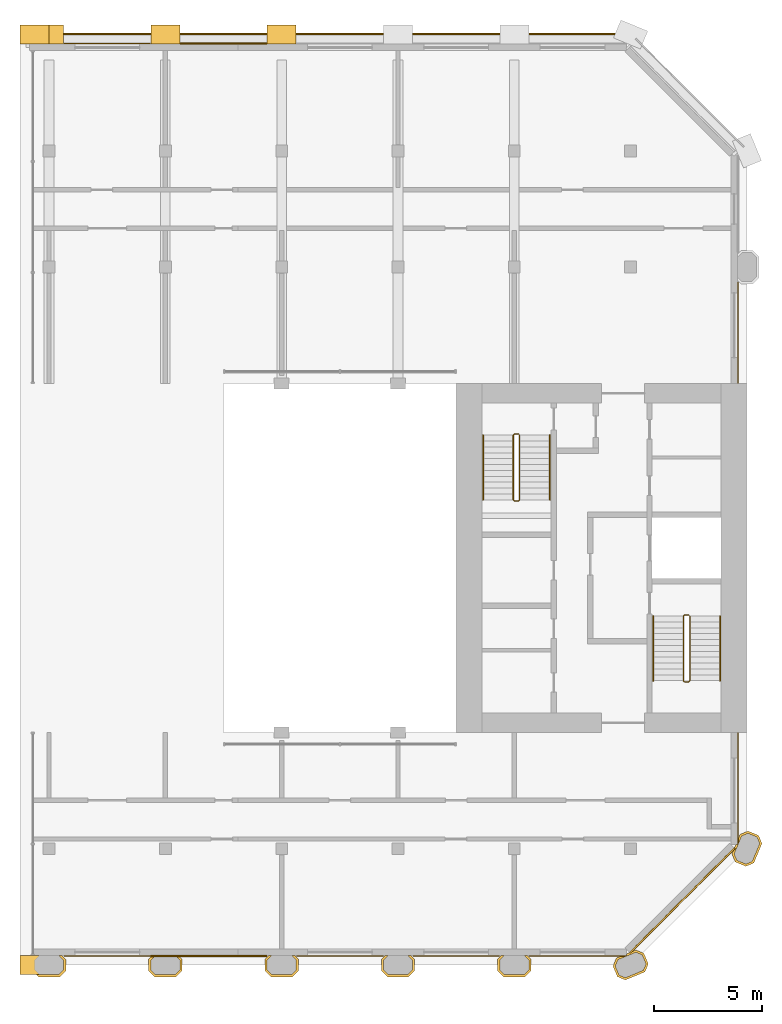
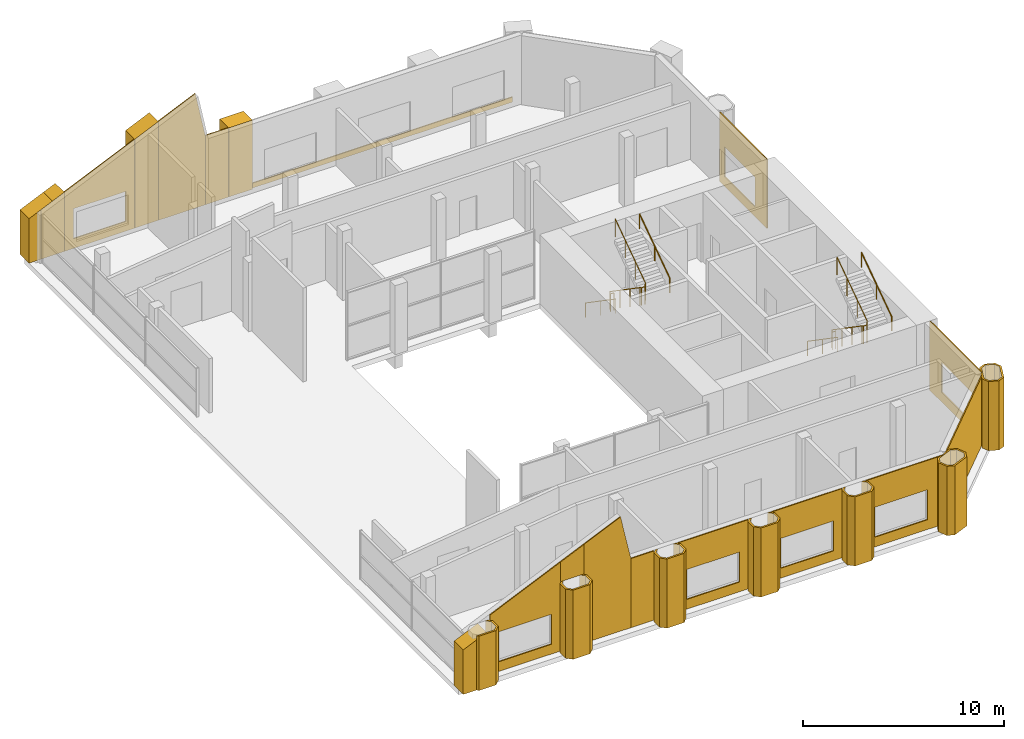
# One storey, part 8 of 9: 26 coverings, 6 railings.
"""IFC4 building model written with IfcOpenShell, lengths in metres."""

from ifc_helpers import new_model, si_unit, direction, frame, frame_2d, origin, origin_2d, place, context, subcontext, project, spatial, polyline, rectangle, circle, outline, extrude, material, layer, layer_set, type_object, element, save


model = new_model("IFC4")

# Units and contexts
model_context = context("Model", 3, precision=1e-05, world=origin(), true_north=direction((0.0, 1.0)))
body_context = subcontext(model_context, "Body", "Model", "MODEL_VIEW")
ifc_project = project(units=[si_unit("LENGTHUNIT", "METRE"), si_unit("AREAUNIT", "SQUARE_METRE"), si_unit("VOLUMEUNIT", "CUBIC_METRE"), si_unit("PLANEANGLEUNIT", "RADIAN"), si_unit("MASSUNIT", "GRAM", prefix="KILO")], contexts=[model_context])

# Site, building, storey
site_placement = place(None, origin())
site = spatial("IfcSite", under=ifc_project, at=site_placement, CompositionType="ELEMENT")
building_placement = place(site_placement, origin())
building = spatial("IfcBuilding", under=site, at=building_placement, Name="Tabaq Tower and Sports Hall", CompositionType="ELEMENT")
storey_placement = place(building_placement, frame((0.0, 0.0, 326.199951171875)))
storey = spatial("IfcBuildingStorey", under=building, at=storey_placement, Name="L81", CompositionType="ELEMENT", Elevation=326.199951171875)

# Coverings
ifc_material_1 = material(Name="Precast concrete C60/75", Category="concrete")
ifc_layer_1 = layer(ifc_material_1, 0.10009765625)
ifc_layer_set_1 = layer_set([ifc_layer_1], Name="Column cladding 100")
covering_type_1 = type_object("IfcCoveringType", Name="Column cladding 100", PredefinedType="CLADDING", material=ifc_layer_set_1)
covering_1_placement = place(storey_placement, origin())
element("IfcCovering", 1, at=covering_1_placement, inside=storey, type_object=covering_type_1, Name="Column cladding L81 PC-3B-CR", PredefinedType="CLADDING", context=body_context, shape_type="SweptSolid", body=[
    extrude(outline(polyline([(11.57470703125, 5.666259765625), (11.57470703125, 5.1337890625), (11.291259765625, 4.850341796875), (10.30859375, 4.850341796875), (10.209228515625, 4.94970703125), (11.250244140625, 4.94970703125), (11.475341796875, 5.1748046875), (11.475341796875, 5.625244140625), (11.250732421875, 5.849609375), (11.391357421875, 5.849609375), (11.57470703125, 5.666259765625)])), origin(), (0.0, 0.0, 1.0), 3.300048828125),
])
covering_2_placement = place(storey_placement, origin())
element("IfcCovering", 2, at=covering_2_placement, inside=storey, type_object=covering_type_1, Name="Column cladding L81 PC-4B-CR", PredefinedType="CLADDING", context=body_context, shape_type="SweptSolid", body=[
    extrude(outline(polyline([(15.42529296875, 5.666259765625), (15.608642578125, 5.849609375), (15.749267578125, 5.849609375), (15.524658203125, 5.625244140625), (15.524658203125, 5.1748046875), (15.749755859375, 4.94970703125), (16.650146484375, 4.94970703125), (16.875244140625, 5.1748046875), (16.875244140625, 5.625244140625), (16.650634765625, 5.849609375), (16.791259765625, 5.849609375), (16.974609375, 5.666259765625), (16.974609375, 5.1337890625), (16.69140625, 4.850341796875), (15.708740234375, 4.850341796875), (15.42529296875, 5.1337890625), (15.42529296875, 5.666259765625)])), origin(), (0.0, 0.0, 1.0), 4.199951171875),
])
covering_3_placement = place(storey_placement, origin())
element("IfcCovering", 3, at=covering_3_placement, inside=storey, type_object=covering_type_1, Name="Column cladding L81 PC-5B-CR", PredefinedType="CLADDING", context=body_context, shape_type="SweptSolid", body=[
    extrude(outline(polyline([(20.8251953125, 5.666259765625), (21.0087890625, 5.849609375), (21.149169921875, 5.849609375), (20.9248046875, 5.625244140625), (20.9248046875, 5.1748046875), (21.14990234375, 4.94970703125), (22.050048828125, 4.94970703125), (22.275390625, 5.1748046875), (22.275390625, 5.625244140625), (22.05078125, 5.849609375), (22.19140625, 5.849609375), (22.374755859375, 5.666259765625), (22.374755859375, 5.1337890625), (22.09130859375, 4.850341796875), (21.108642578125, 4.850341796875), (20.8251953125, 5.1337890625), (20.8251953125, 5.666259765625)])), origin(), (0.0, 0.0, 1.0), 4.199951171875),
])
covering_4_placement = place(storey_placement, origin())
element("IfcCovering", 4, at=covering_4_placement, inside=storey, type_object=covering_type_1, Name="Column cladding L81 PC-6B-CR", PredefinedType="CLADDING", context=body_context, shape_type="SweptSolid", body=[
    extrude(outline(polyline([(26.225341796875, 5.666259765625), (26.40869140625, 5.849609375), (26.54931640625, 5.849609375), (26.32470703125, 5.625244140625), (26.32470703125, 5.1748046875), (26.5498046875, 4.94970703125), (27.4501953125, 4.94970703125), (27.67529296875, 5.1748046875), (27.67529296875, 5.625244140625), (27.45068359375, 5.849609375), (27.59130859375, 5.849609375), (27.774658203125, 5.666259765625), (27.774658203125, 5.1337890625), (27.4912109375, 4.850341796875), (26.5087890625, 4.850341796875), (26.225341796875, 5.1337890625), (26.225341796875, 5.666259765625)])), origin(), (0.0, 0.0, 1.0), 4.199951171875),
])
covering_5_placement = place(storey_placement, origin())
element("IfcCovering", 5, at=covering_5_placement, inside=storey, type_object=covering_type_1, Name="Column cladding L81 PC-7B-CR", PredefinedType="CLADDING", context=body_context, shape_type="SweptSolid", body=[
    extrude(outline(polyline([(31.625244140625, 5.666259765625), (31.80859375, 5.849609375), (31.94921875, 5.849609375), (31.724609375, 5.625244140625), (31.724609375, 5.1748046875), (31.949951171875, 4.94970703125), (32.85009765625, 4.94970703125), (33.0751953125, 5.1748046875), (33.0751953125, 5.625244140625), (32.850830078125, 5.849609375), (32.9912109375, 5.849609375), (33.1748046875, 5.666259765625), (33.1748046875, 5.1337890625), (32.891357421875, 4.850341796875), (31.90869140625, 4.850341796875), (31.625244140625, 5.1337890625), (31.625244140625, 5.666259765625)])), origin(), (0.0, 0.0, 1.0), 4.199951171875),
])
covering_6_placement = place(storey_placement, origin())
element("IfcCovering", 6, at=covering_6_placement, inside=storey, type_object=covering_type_1, Name="Column cladding L81 PC-8B-CR", PredefinedType="CLADDING", context=body_context, shape_type="SweptSolid", body=[
    extrude(outline(polyline([(36.982421875, 5.349609375), (37.1357421875, 5.7197265625), (37.304443359375, 5.789794921875), (37.55712890625, 5.789794921875), (37.55712890625, 5.849609375), (37.614013671875, 5.849609375), (37.614013671875, 5.91796875), (37.767578125, 5.9814453125), (37.799072265625, 5.9501953125), (37.875, 6.026123046875), (38.04345703125, 6.095947265625), (38.413818359375, 5.9423828125), (38.61767578125, 5.450439453125), (38.46435546875, 5.080078125), (37.556396484375, 4.7041015625), (37.186279296875, 4.857421875), (36.982421875, 5.349609375)]), holes=[polyline([(38.510009765625, 5.450439453125), (38.337646484375, 5.866455078125), (38.04345703125, 5.98828125), (37.2119140625, 5.643798828125), (37.08984375, 5.349609375), (37.26220703125, 4.93359375), (37.556396484375, 4.811767578125), (38.38818359375, 5.15625), (38.510009765625, 5.450439453125)])]), origin(), (0.0, 0.0, 1.0), 4.199951171875),
])
covering_7_placement = place(storey_placement, origin())
element("IfcCovering", 7, at=covering_7_placement, inside=storey, type_object=covering_type_1, Name="Column cladding L81 PC-9C-CR", PredefinedType="CLADDING", context=body_context, shape_type="SweptSolid", body=[
    extrude(outline(polyline([(42.657470703125, 10.186279296875), (42.504150390625, 10.556396484375), (42.573974609375, 10.72509765625), (42.64990234375, 10.801025390625), (42.618408203125, 10.83251953125), (42.68212890625, 10.986083984375), (42.750244140625, 10.986083984375), (42.750244140625, 11.04296875), (42.810302734375, 11.04296875), (42.810302734375, 11.295654296875), (42.880126953125, 11.46435546875), (43.25048828125, 11.61767578125), (43.742431640625, 11.413818359375), (43.895751953125, 11.04345703125), (43.519775390625, 10.1357421875), (43.149658203125, 9.982421875), (42.657470703125, 10.186279296875)]), holes=[polyline([(43.66650390625, 11.337646484375), (43.25048828125, 11.510009765625), (42.956298828125, 11.38818359375), (42.61181640625, 10.556396484375), (42.733642578125, 10.26220703125), (43.149658203125, 10.08984375), (43.44384765625, 10.2119140625), (43.788330078125, 11.04345703125), (43.66650390625, 11.337646484375)])]), origin(), (0.0, 0.0, 1.0), 4.199951171875),
])
ifc_material_2 = material(Name="Precast concrete C60/75", Category="concrete")
ifc_layer_2 = layer(ifc_material_2, 0.06005859375)
ifc_layer_set_2 = layer_set([ifc_layer_2], Name="Edge beam cladding 60")
covering_type_2 = type_object("IfcCoveringType", Name="Edge beam cladding 60", PredefinedType="CLADDING", material=ifc_layer_set_2)
covering_8_placement = place(storey_placement, frame((37.50146484375, 48.6298828125, -0.300048828125), z_axis=(0.0, 0.0, 1.0), x_axis=(-1.0, 0.0, 0.0)))
element("IfcCovering", 8, at=covering_8_placement, inside=storey, type_object=covering_type_2, Name="Edge beam cladding L81 1", PredefinedType="CLADDING", context=body_context, shape_type="SweptSolid", body=[
    extrude(rectangle(XDim=27.761474609375, YDim=0.06005859375, at=frame_2d((13.880859375, 0.0))), origin(), (0.0, 0.0, 1.0), 0.300048828125),
])
ifc_material_3 = material(Name="White precast concrete C60/75", Category="concrete")
covering_type_3 = type_object("IfcCoveringType", Name="Pier cladding hung 1350x900", PredefinedType="CLADDING", material=ifc_material_3)
covering_9_placement = place(storey_placement, frame((11.47509765625, 48.60009765625, 0.0), z_axis=(0.0, 0.0, 1.0), x_axis=(-1.0, 0.0, 0.0)))
element("IfcCovering", 9, at=covering_9_placement, inside=storey, type_object=covering_type_3, Name="Hung pier cladding 2/9", PredefinedType="CLADDING", context=body_context, shape_type="SweptSolid", body=[
    extrude(outline(polyline([(0.0, 0.0), (1.35009765625, 0.0), (1.35009765625, 3.0), (0.89990234375, 3.199951171875), (0.449951171875, 3.400146484375), (0.0, 3.60009765625), (0.0, 0.0)])), frame((0.0, 0.449951171875, 0.0), z_axis=(0.0, -1.0, 0.0), x_axis=(1.0, 0.0, 0.0)), (0.0, 0.0, 1.0), 0.89990234375),
])
covering_10_placement = place(storey_placement, frame((16.875, 48.60009765625, 0.0), z_axis=(0.0, 0.0, 1.0), x_axis=(-1.0, 0.0, 0.0)))
element("IfcCovering", 10, at=covering_10_placement, inside=storey, type_object=covering_type_3, Name="Hung pier cladding 3/9", PredefinedType="CLADDING", context=body_context, shape_type="SweptSolid", body=[
    extrude(outline(polyline([(0.0, 0.0), (1.35009765625, 0.0), (1.35009765625, 5.400146484375), (0.89990234375, 5.60009765625), (0.449951171875, 5.800048828125), (0.0, 6.0), (0.0, 0.0)])), frame((0.0, 0.449951171875, 0.0), z_axis=(0.0, -1.0, 0.0), x_axis=(1.0, 0.0, 0.0)), (0.0, 0.0, 1.0), 0.89990234375),
])
covering_11_placement = place(storey_placement, frame((22.27490234375, 48.60009765625, 0.0), z_axis=(0.0, 0.0, 1.0), x_axis=(-1.0, 0.0, 0.0)))
element("IfcCovering", 11, at=covering_11_placement, inside=storey, type_object=covering_type_3, Name="Hung pier cladding 4/9", PredefinedType="CLADDING", context=body_context, shape_type="SweptSolid", body=[
    extrude(rectangle(XDim=1.349853515625, YDim=0.89990234375, at=frame_2d((0.6748046875, 0.0))), origin(), (0.0, 0.0, 1.0), 4.199951171875),
])
for number, where, z_axis, x_axis, name in (
    (12, (9.449951171875, 5.39990234375, 0.0), (0.0, 0.0, 1.0), (1.0, 0.0, 0.0), "Riser corner cladding S"),
    (13, (9.449951171875, 48.60009765625, 0.0), (0.0, 0.0, 1.0), (1.0, 0.0, 0.0), "Riser corner cladding N"),
):
    element("IfcCovering", number, at=place(storey_placement, frame(where, z_axis=z_axis, x_axis=x_axis)), inside=storey, type_object=covering_type_3, Name=name, PredefinedType="CLADDING", context=body_context, shape_type="SweptSolid", body=[
        extrude(outline(polyline([(0.0, 0.0), (1.35009765625, 0.0), (1.35009765625, 3.300048828125), (0.89990234375, 3.10009765625), (0.449951171875, 2.900146484375), (0.0, 2.699951171875), (0.0, 0.0)])), frame((0.0, 0.449951171875, 0.0), z_axis=(0.0, -1.0, 0.0), x_axis=(1.0, 0.0, 0.0)), (0.0, 0.0, 1.0), 0.89990234375),
    ])

# Railings
ifc_material_4 = material(Name="Stainless steel", Category="steel")
railing_type_1 = type_object("IfcRailingType", Name="Stair guard", PredefinedType="GUARDRAIL", material=ifc_material_4)
railing_1_placement = place(storey_placement, frame((40.5, 21.64990234375, 0.0)))
element("IfcRailing", 14, at=railing_1_placement, inside=storey, type_object=railing_type_1, Name="L81 ST3 stair guard 1", PredefinedType="GUARDRAIL", context=body_context, shape_type="SweptSolid", body=[
    extrude(circle(Radius=0.02392578125, at=origin_2d()), frame((0.0, 0.0, 1.076171875), z_axis=(-1.0, 0.0, 0.0), x_axis=(0.0, -1.0, 0.0)), (0.0, 0.0, 1.0), 0.199951171875),
    extrude(circle(Radius=0.02392578125, at=origin_2d()), frame((-0.199951171875, 0.0, 1.076171875), z_axis=(-0.249802250048, -0.248583702486, 0.935844527007), x_axis=(0.705375805398, -0.708833529934, 0.0)), (0.0, 0.0, 1.0), 0.200439453125),
    extrude(circle(Radius=0.02392578125, at=origin_2d()), frame((-0.25, -0.0498046875, 1.263671875), z_axis=(0.0, -0.824041924199, 0.566528822887), x_axis=(1.0, 0.0, 0.0)), (0.0, 0.0, 1.0), 3.640625),
    extrude(circle(Radius=0.02392578125, at=origin_2d()), frame((-0.25, -3.0498046875, 3.326171875), z_axis=(0.707106781187, -0.707106781187, 0.0), x_axis=(0.707106781187, 0.707106781187, 0.0)), (0.0, 0.0, 1.0), 0.07080078125),
    extrude(circle(Radius=0.02392578125, at=origin_2d()), frame((-0.199951171875, -3.099853515625, 3.326171875), z_axis=(1.0, 0.0, 0.0), x_axis=(0.0, 1.0, 0.0)), (0.0, 0.0, 1.0), 0.199951171875),
    extrude(circle(Radius=0.02392578125, at=origin_2d()), frame((0.0, -3.099853515625, 3.326171875), z_axis=(0.249726431254, 0.249726431254, 0.935560483917), x_axis=(-0.707106781187, 0.707106781187, 0.0)), (0.0, 0.0, 1.0), 0.200439453125),
    extrude(circle(Radius=0.02392578125, at=origin_2d()), frame((0.050048828125, -3.0498046875, 3.513671875), z_axis=(0.0, 0.824041924199, 0.566528822887), x_axis=(-1.0, 0.0, 0.0)), (0.0, 0.0, 1.0), 3.640625),
    extrude(circle(Radius=0.02099609375, at=origin_2d()), origin(), (0.0, 0.0, 1.0), 1.052001953125),
    extrude(circle(Radius=0.02099609375, at=origin_2d()), frame((-0.199951171875, 0.0, 0.0)), (0.0, 0.0, 1.0), 1.052001953125),
    extrude(circle(Radius=0.02099609375, at=origin_2d()), frame((-0.25, -0.0498046875, 0.1875)), (0.0, 0.0, 1.0), 1.052001953125),
    extrude(circle(Radius=0.02099609375, at=origin_2d()), frame((-0.25, -1.0498046875, 0.875)), (0.0, 0.0, 1.0), 1.052001953125),
    extrude(circle(Radius=0.02099609375, at=origin_2d()), frame((-0.25, -2.0498046875, 1.5625)), (0.0, 0.0, 1.0), 1.052001953125),
    extrude(circle(Radius=0.02099609375, at=origin_2d()), frame((-0.25, -3.0498046875, 2.25)), (0.0, 0.0, 1.0), 1.052001953125),
    extrude(circle(Radius=0.02099609375, at=origin_2d()), frame((-0.199951171875, -3.099853515625, 2.25)), (0.0, 0.0, 1.0), 1.052001953125),
    extrude(circle(Radius=0.02099609375, at=origin_2d()), frame((0.0, -3.099853515625, 2.25)), (0.0, 0.0, 1.0), 1.052001953125),
    extrude(circle(Radius=0.02099609375, at=origin_2d()), frame((0.050048828125, -3.0498046875, 2.4375)), (0.0, 0.0, 1.0), 1.052001953125),
    extrude(circle(Radius=0.02099609375, at=origin_2d()), frame((0.050048828125, -2.0498046875, 3.125)), (0.0, 0.0, 1.0), 1.052001953125),
    extrude(circle(Radius=0.02099609375, at=origin_2d()), frame((0.050048828125, -1.0498046875, 3.8125)), (0.0, 0.0, 1.0), 1.052001953125),
    extrude(circle(Radius=0.02099609375, at=origin_2d()), frame((0.050048828125, -0.0498046875, 4.5)), (0.0, 0.0, 1.0), 1.052001953125),
])
railing_2_placement = place(storey_placement, frame((32.60009765625, 30.050048828125, 0.0)))
element("IfcRailing", 15, at=railing_2_placement, inside=storey, type_object=railing_type_1, Name="L81 ST4 stair guard 1", PredefinedType="GUARDRAIL", context=body_context, shape_type="SweptSolid", body=[
    extrude(circle(Radius=0.02392578125, at=origin_2d()), frame((0.0, 0.0, 1.076171875), z_axis=(-1.0, 0.0, 0.0), x_axis=(0.0, -1.0, 0.0)), (0.0, 0.0, 1.0), 0.2001953125),
    extrude(circle(Radius=0.02392578125, at=origin_2d()), frame((-0.2001953125, 0.0, 1.076171875), z_axis=(-0.248583702486, -0.249802250048, 0.935844527007), x_axis=(0.708833529934, -0.705375805398, 0.0)), (0.0, 0.0, 1.0), 0.200439453125),
    extrude(circle(Radius=0.02392578125, at=origin_2d()), frame((-0.25, -0.050048828125, 1.263671875), z_axis=(0.0, -0.824041924199, 0.566528822887), x_axis=(1.0, 0.0, 0.0)), (0.0, 0.0, 1.0), 3.640625),
    extrude(circle(Radius=0.02392578125, at=origin_2d()), frame((-0.25, -3.050048828125, 3.326171875), z_axis=(0.705375805398, -0.708833529934, 0.0), x_axis=(0.708833529934, 0.705375805398, 0.0)), (0.0, 0.0, 1.0), 0.070556640625),
    extrude(circle(Radius=0.02392578125, at=origin_2d()), frame((-0.2001953125, -3.10009765625, 3.326171875), z_axis=(1.0, 0.0, 0.0), x_axis=(0.0, 1.0, 0.0)), (0.0, 0.0, 1.0), 0.2001953125),
    extrude(circle(Radius=0.02392578125, at=origin_2d()), frame((0.0, -3.10009765625, 3.326171875), z_axis=(0.248583702486, 0.249802250048, 0.935844527007), x_axis=(-0.708833529934, 0.705375805398, 0.0)), (0.0, 0.0, 1.0), 0.200439453125),
    extrude(circle(Radius=0.02392578125, at=origin_2d()), frame((0.0498046875, -3.050048828125, 3.513671875), z_axis=(0.0, 0.824041924199, 0.566528822887), x_axis=(-1.0, 0.0, 0.0)), (0.0, 0.0, 1.0), 3.640625),
    extrude(circle(Radius=0.02099609375, at=origin_2d()), origin(), (0.0, 0.0, 1.0), 1.052001953125),
    extrude(circle(Radius=0.02099609375, at=origin_2d()), frame((-0.2001953125, 0.0, 0.0)), (0.0, 0.0, 1.0), 1.052001953125),
    extrude(circle(Radius=0.02099609375, at=origin_2d()), frame((-0.25, -0.050048828125, 0.1875)), (0.0, 0.0, 1.0), 1.052001953125),
    extrude(circle(Radius=0.02099609375, at=origin_2d()), frame((-0.25, -1.050048828125, 0.875)), (0.0, 0.0, 1.0), 1.052001953125),
    extrude(circle(Radius=0.02099609375, at=origin_2d()), frame((-0.25, -2.050048828125, 1.5625)), (0.0, 0.0, 1.0), 1.052001953125),
    extrude(circle(Radius=0.02099609375, at=origin_2d()), frame((-0.25, -3.050048828125, 2.25)), (0.0, 0.0, 1.0), 1.052001953125),
    extrude(circle(Radius=0.02099609375, at=origin_2d()), frame((-0.2001953125, -3.10009765625, 2.25)), (0.0, 0.0, 1.0), 1.052001953125),
    extrude(circle(Radius=0.02099609375, at=origin_2d()), frame((0.0, -3.10009765625, 2.25)), (0.0, 0.0, 1.0), 1.052001953125),
    extrude(circle(Radius=0.02099609375, at=origin_2d()), frame((0.0498046875, -3.050048828125, 2.4375)), (0.0, 0.0, 1.0), 1.052001953125),
    extrude(circle(Radius=0.02099609375, at=origin_2d()), frame((0.0498046875, -2.050048828125, 3.125)), (0.0, 0.0, 1.0), 1.052001953125),
    extrude(circle(Radius=0.02099609375, at=origin_2d()), frame((0.0498046875, -1.050048828125, 3.8125)), (0.0, 0.0, 1.0), 1.052001953125),
    extrude(circle(Radius=0.02099609375, at=origin_2d()), frame((0.0498046875, -0.050048828125, 4.5)), (0.0, 0.0, 1.0), 1.052001953125),
])
ifc_material_5 = material(Name="Stainless steel", Category="steel")
railing_type_2 = type_object("IfcRailingType", Name="Stair handrail", PredefinedType="HANDRAIL", material=ifc_material_5)
railing_3_placement = place(storey_placement, frame((38.85009765625, 21.60009765625, 0.1875)))
element("IfcRailing", 16, at=railing_3_placement, inside=storey, type_object=railing_type_2, Name="L81 ST3 stair handrail 1", PredefinedType="HANDRAIL", context=body_context, shape_type="SweptSolid", body=[
    extrude(circle(Radius=0.02392578125, at=origin_2d()), frame((0.0, 0.0, 0.8759765625), z_axis=(0.0, -0.824041924199, 0.566528822887), x_axis=(1.0, 0.0, 0.0)), (0.0, 0.0, 1.0), 3.640625),
    extrude(circle(Radius=0.02099609375, at=origin_2d()), origin(), (0.0, 0.0, 1.0), 0.851806640625),
    extrude(circle(Radius=0.02099609375, at=origin_2d()), frame((0.0, -1.5, 1.03125)), (0.0, 0.0, 1.0), 0.851806640625),
    extrude(circle(Radius=0.02099609375, at=origin_2d()), frame((0.0, -3.0, 2.0625)), (0.0, 0.0, 1.0), 0.851806640625),
])
railing_4_placement = place(storey_placement, frame((41.949951171875, 18.60009765625, 2.4375)))
element("IfcRailing", 17, at=railing_4_placement, inside=storey, type_object=railing_type_2, Name="L81 ST3 stair handrail 2", PredefinedType="HANDRAIL", context=body_context, shape_type="SweptSolid", body=[
    extrude(circle(Radius=0.02392578125, at=origin_2d()), frame((0.0, 0.0, 0.8759765625), z_axis=(0.0, 0.824041924199, 0.566528822887), x_axis=(-1.0, 0.0, 0.0)), (0.0, 0.0, 1.0), 3.640625),
    extrude(circle(Radius=0.02099609375, at=origin_2d()), origin(), (0.0, 0.0, 1.0), 0.851806640625),
    extrude(circle(Radius=0.02099609375, at=origin_2d()), frame((0.0, 1.5, 1.03125)), (0.0, 0.0, 1.0), 0.851806640625),
    extrude(circle(Radius=0.02099609375, at=origin_2d()), frame((0.0, 3.0, 2.0625)), (0.0, 0.0, 1.0), 0.851806640625),
])
railing_5_placement = place(storey_placement, frame((30.949951171875, 30.0, 0.1875)))
element("IfcRailing", 18, at=railing_5_placement, inside=storey, type_object=railing_type_2, Name="L81 ST4 stair handrail 1", PredefinedType="HANDRAIL", context=body_context, shape_type="SweptSolid", body=[
    extrude(circle(Radius=0.02392578125, at=origin_2d()), frame((0.0, 0.0, 0.8759765625), z_axis=(0.0, -0.824041924199, 0.566528822887), x_axis=(1.0, 0.0, 0.0)), (0.0, 0.0, 1.0), 3.640625),
    extrude(circle(Radius=0.02099609375, at=origin_2d()), origin(), (0.0, 0.0, 1.0), 0.851806640625),
    extrude(circle(Radius=0.02099609375, at=origin_2d()), frame((0.0, -1.5, 1.03125)), (0.0, 0.0, 1.0), 0.851806640625),
    extrude(circle(Radius=0.02099609375, at=origin_2d()), frame((0.0, -3.0, 2.0625)), (0.0, 0.0, 1.0), 0.851806640625),
])
railing_6_placement = place(storey_placement, frame((34.050048828125, 27.0, 2.4375)))
element("IfcRailing", 19, at=railing_6_placement, inside=storey, type_object=railing_type_2, Name="L81 ST4 stair handrail 2", PredefinedType="HANDRAIL", context=body_context, shape_type="SweptSolid", body=[
    extrude(circle(Radius=0.02392578125, at=origin_2d()), frame((0.0, 0.0, 0.8759765625), z_axis=(0.0, 0.824041924199, 0.566528822887), x_axis=(-1.0, 0.0, 0.0)), (0.0, 0.0, 1.0), 3.640625),
    extrude(circle(Radius=0.02099609375, at=origin_2d()), origin(), (0.0, 0.0, 1.0), 0.851806640625),
    extrude(circle(Radius=0.02099609375, at=origin_2d()), frame((0.0, 1.5, 1.03125)), (0.0, 0.0, 1.0), 0.851806640625),
    extrude(circle(Radius=0.02099609375, at=origin_2d()), frame((0.0, 3.0, 2.0625)), (0.0, 0.0, 1.0), 0.851806640625),
])

# Coverings
ifc_material_6 = material(Name="Precast concrete C60/75", Category="concrete")
ifc_layer_3 = layer(ifc_material_6, 0.06005859375)
ifc_layer_set_3 = layer_set([ifc_layer_3], Name="White precast cladding panel 60 C60/75")
covering_type_4 = type_object("IfcCoveringType", Name="White precast cladding panel 60 C60/75", PredefinedType="CLADDING", material=ifc_layer_set_3)
covering_12_placement = place(storey_placement, frame((11.485107421875, 5.820068359375, 0.0), z_axis=(0.0, 0.0, 1.0), x_axis=(1.0, 0.0, 0.0)))
element("IfcCovering", 20, at=covering_12_placement, inside=storey, type_object=covering_type_4, Name="White precast cladding panel L81 wall00", PredefinedType="CLADDING", context=body_context, shape_type="SweptSolid", body=[
    extrude(outline(polyline([(0.0, 0.0), (4.02978515625, 0.0), (4.030029296875, 5.3955078125), (3.9228515625, 5.347900390625), (3.327392578125, 5.08349609375), (2.732177734375, 4.81884765625), (2.136962890625, 4.55419921875), (1.54150390625, 4.28955078125), (0.9462890625, 4.025146484375), (0.350830078125, 3.760498046875), (0.0, 3.6044921875), (0.0, 0.0)]), holes=[polyline([(0.5048828125, 0.590087890625), (0.5048828125, 2.41015625), (3.52490234375, 2.41015625), (3.52490234375, 0.590087890625), (0.5048828125, 0.590087890625)])]), frame((0.0, 0.030029296875, 0.0), z_axis=(0.0, -1.0, 0.0), x_axis=(1.0, 0.0, 0.0)), (0.0, 0.0, 1.0), 0.06005859375),
])
covering_13_placement = place(storey_placement, frame((15.514892578125, 5.820068359375, 4.2099609375), z_axis=(0.0, 0.0, 1.0), x_axis=(1.0, 0.0, 0.0)))
element("IfcCovering", 21, at=covering_13_placement, inside=storey, type_object=covering_type_4, Name="White precast cladding panel L81 wall00 2", PredefinedType="CLADDING", context=body_context, shape_type="SweptSolid", body=[
    extrude(outline(polyline([(0.0, 0.0), (1.3701171875, 0.0), (1.3701171875, 1.79443359375), (1.08349609375, 1.667236328125), (0.488037109375, 1.402587890625), (0.0, 1.185546875), (0.0, 0.0)])), frame((0.0, 0.030029296875, 0.0), z_axis=(0.0, -1.0, 0.0), x_axis=(1.0, 0.0, 0.0)), (0.0, 0.0, 1.0), 0.06005859375),
])
covering_14_placement = place(storey_placement, frame((16.885009765625, 5.820068359375, 0.0), z_axis=(0.0, 0.0, 1.0), x_axis=(1.0, 0.0, 0.0)))
element("IfcCovering", 22, at=covering_14_placement, inside=storey, type_object=covering_type_4, Name="White precast cladding panel L81 wall00 3", PredefinedType="CLADDING", context=body_context, shape_type="SweptSolid", body=[
    extrude(outline(polyline([(0.0, 0.0), (2.68994140625, 0.0), (2.68994140625, 4.199951171875), (2.0947265625, 6.935546875), (1.499267578125, 6.6708984375), (0.904052734375, 6.40625), (0.308837890625, 6.1416015625), (0.0, 6.00439453125), (0.0, 0.0)])), frame((0.0, 0.030029296875, 0.0), z_axis=(0.0, -1.0, 0.0), x_axis=(1.0, 0.0, 0.0)), (0.0, 0.0, 1.0), 0.06005859375),
])
covering_15_placement = place(storey_placement, frame((19.574951171875, 5.820068359375, 0.0), z_axis=(0.0, 0.0, 1.0), x_axis=(1.0, 0.0, 0.0)))
element("IfcCovering", 23, at=covering_15_placement, inside=storey, type_object=covering_type_4, Name="White precast cladding panel L81 wall00-1", PredefinedType="CLADDING", context=body_context, shape_type="SweptSolid", body=[
    extrude(outline(polyline([(0.0, 0.0), (1.340087890625, 0.0), (1.340087890625, 4.199951171875), (1.163818359375, 4.199951171875), (0.581787109375, 4.199951171875), (0.0, 4.199951171875), (0.0, 0.0)])), frame((0.0, 0.030029296875, 0.0), z_axis=(0.0, -1.0, 0.0), x_axis=(1.0, 0.0, 0.0)), (0.0, 0.0, 1.0), 0.06005859375),
])
covering_16_placement = place(storey_placement, frame((22.284912109375, 5.820068359375, 0.0), z_axis=(0.0, 0.0, 1.0), x_axis=(1.0, 0.0, 0.0)))
element("IfcCovering", 24, at=covering_16_placement, inside=storey, type_object=covering_type_4, Name="White precast cladding panel L81 wall00-1 2", PredefinedType="CLADDING", context=body_context, shape_type="SweptSolid", body=[
    extrude(outline(polyline([(0.0, 0.0), (4.030029296875, 0.0), (4.030029296875, 4.199951171875), (3.690673828125, 4.199951171875), (3.10888671875, 4.199951171875), (2.527099609375, 4.199951171875), (1.945068359375, 4.199951171875), (1.36328125, 4.199951171875), (0.78125, 4.199951171875), (0.199462890625, 4.199951171875), (0.0, 4.199951171875), (0.0, 0.0)]), holes=[polyline([(0.5048828125, 0.590087890625), (0.5048828125, 2.41015625), (3.52490234375, 2.41015625), (3.52490234375, 0.590087890625), (0.5048828125, 0.590087890625)])]), frame((0.0, 0.030029296875, 0.0), z_axis=(0.0, -1.0, 0.0), x_axis=(1.0, 0.0, 0.0)), (0.0, 0.0, 1.0), 0.06005859375),
])
covering_17_placement = place(storey_placement, frame((27.68505859375, 5.820068359375, 0.0), z_axis=(0.0, 0.0, 1.0), x_axis=(1.0, 0.0, 0.0)))
element("IfcCovering", 25, at=covering_17_placement, inside=storey, type_object=covering_type_4, Name="White precast cladding panel L81 wall00-1 3", PredefinedType="CLADDING", context=body_context, shape_type="SweptSolid", body=[
    extrude(outline(polyline([(0.0, 0.0), (4.030029296875, 0.0), (4.030029296875, 4.199951171875), (3.52783203125, 4.199951171875), (2.94580078125, 4.199951171875), (2.364013671875, 4.199951171875), (1.7822265625, 4.199951171875), (1.2001953125, 4.199951171875), (0.618408203125, 4.199951171875), (0.036376953125, 4.199951171875), (0.0, 4.199951171875), (0.0, 0.0)]), holes=[polyline([(0.5048828125, 0.590087890625), (0.5048828125, 2.41015625), (3.52490234375, 2.41015625), (3.52490234375, 0.590087890625), (0.5048828125, 0.590087890625)])]), frame((0.0, 0.030029296875, 0.0), z_axis=(0.0, -1.0, 0.0), x_axis=(1.0, 0.0, 0.0)), (0.0, 0.0, 1.0), 0.06005859375),
])
covering_18_placement = place(storey_placement, frame((33.0849609375, 5.820068359375, 0.0), z_axis=(0.0, 0.0, 1.0), x_axis=(1.0, 0.0, 0.0)))
element("IfcCovering", 26, at=covering_18_placement, inside=storey, type_object=covering_type_4, Name="White precast cladding panel L81 wall00-1 4", PredefinedType="CLADDING", context=body_context, shape_type="SweptSolid", body=[
    extrude(outline(polyline([(0.0, 0.0), (4.471923828125, 0.0), (4.471923828125, 4.199951171875), (3.94677734375, 4.199951171875), (3.36474609375, 4.199951171875), (2.782958984375, 4.199951171875), (2.200927734375, 4.199951171875), (1.619140625, 4.199951171875), (1.037353515625, 4.199951171875), (0.455322265625, 4.199951171875), (0.0, 4.199951171875), (0.0, 0.0)]), holes=[polyline([(0.5048828125, 0.590087890625), (0.5048828125, 2.41015625), (3.52490234375, 2.41015625), (3.52490234375, 0.590087890625), (0.5048828125, 0.590087890625)])]), frame((0.0, 0.030029296875, 0.0), z_axis=(0.0, -1.0, 0.0), x_axis=(1.0, 0.0, 0.0)), (0.0, 0.0, 1.0), 0.06005859375),
])
covering_19_placement = place(storey_placement, frame((37.77783203125, 5.9716796875, 0.0), z_axis=(0.0, 0.0, 1.0), x_axis=(0.707088985397, 0.707124576528, 0.0)))
element("IfcCovering", 27, at=covering_19_placement, inside=storey, type_object=covering_type_4, Name="White precast cladding panel L81 wall01", PredefinedType="CLADDING", context=body_context, shape_type="SweptSolid", body=[
    extrude(outline(polyline([(0.0, 0.0), (6.859619140625, 0.0), (6.859619140625, 4.199951171875), (6.2880859375, 4.199951171875), (5.71630859375, 4.199951171875), (5.144775390625, 4.199951171875), (4.5732421875, 4.199951171875), (4.00146484375, 4.199951171875), (3.429931640625, 4.199951171875), (2.858154296875, 4.199951171875), (2.28662109375, 4.199951171875), (1.71484375, 4.199951171875), (1.143310546875, 4.199951171875), (0.571533203125, 4.199951171875), (0.0, 4.199951171875), (0.0, 0.0)])), frame((0.0, 0.030029296875, 0.0), z_axis=(0.0, -1.0, 0.0), x_axis=(1.0, 0.0, 0.0)), (0.0, 0.0, 1.0), 0.06005859375),
])
covering_20_placement = place(storey_placement, frame((42.780029296875, 11.043212890625, 0.0), z_axis=(0.0, 0.0, 1.0), x_axis=(0.0, 1.0, 0.0)))
element("IfcCovering", 28, at=covering_20_placement, inside=storey, type_object=covering_type_4, Name="White precast cladding panel L81 wall02", PredefinedType="CLADDING", context=body_context, shape_type="SweptSolid", body=[
    extrude(outline(polyline([(0.0, 0.0), (5.15673828125, 0.0), (5.15673828125, 4.199951171875), (4.57763671875, 4.199951171875), (3.998291015625, 4.199951171875), (3.4189453125, 4.199951171875), (2.839599609375, 4.199951171875), (2.260498046875, 4.199951171875), (1.68115234375, 4.199951171875), (1.101806640625, 4.199951171875), (0.5224609375, 4.199951171875), (0.0, 4.199951171875), (0.0, 0.0)]), holes=[polyline([(0.94677734375, 0.590087890625), (0.94677734375, 2.41015625), (3.966796875, 2.41015625), (3.966796875, 0.590087890625), (0.94677734375, 0.590087890625)])]), frame((0.0, 0.030029296875, 0.0), z_axis=(0.0, -1.0, 0.0), x_axis=(1.0, 0.0, 0.0)), (0.0, 0.0, 1.0), 0.06005859375),
])
covering_21_placement = place(storey_placement, frame((42.780029296875, 32.39990234375, 0.0), z_axis=(0.0, 0.0, 1.0), x_axis=(0.0, 1.0, 0.0)))
element("IfcCovering", 29, at=covering_21_placement, inside=storey, type_object=covering_type_4, Name="White precast cladding panel L81 wall02-1", PredefinedType="CLADDING", context=body_context, shape_type="SweptSolid", body=[
    extrude(outline(polyline([(0.0, 0.0), (4.715087890625, 0.0), (4.715087890625, 4.199951171875), (4.12744140625, 4.199951171875), (3.537841796875, 4.199951171875), (2.9482421875, 4.199951171875), (2.358642578125, 4.199951171875), (1.76904296875, 4.199951171875), (1.17919921875, 4.199951171875), (0.589599609375, 4.199951171875), (0.0, 4.199951171875), (0.0, 0.0)]), holes=[polyline([(1.18994140625, 0.590087890625), (1.18994140625, 2.41015625), (4.2099609375, 2.41015625), (4.2099609375, 0.590087890625), (1.18994140625, 0.590087890625)])]), frame((0.0, 0.030029296875, 0.0), z_axis=(0.0, -1.0, 0.0), x_axis=(1.0, 0.0, 0.0)), (0.0, 0.0, 1.0), 0.06005859375),
])
covering_22_placement = place(storey_placement, frame((20.9150390625, 48.179931640625, 0.0), z_axis=(0.0, 0.0, 1.0), x_axis=(-1.0, 0.0, 0.0)))
element("IfcCovering", 30, at=covering_22_placement, inside=storey, type_object=covering_type_4, Name="White precast cladding panel L81 wall04 4", PredefinedType="CLADDING", context=body_context, shape_type="SweptSolid", body=[
    extrude(outline(polyline([(0.0, 0.0), (1.340087890625, 0.0), (1.340087890625, 4.199951171875), (0.758056640625, 4.199951171875), (0.17626953125, 4.199951171875), (0.0, 4.199951171875), (0.0, 0.0)])), frame((0.0, 0.030029296875, 0.0), z_axis=(0.0, -1.0, 0.0), x_axis=(1.0, 0.0, 0.0)), (0.0, 0.0, 1.0), 0.06005859375),
])
covering_23_placement = place(storey_placement, frame((19.574951171875, 48.179931640625, 0.0), z_axis=(0.0, 0.0, 1.0), x_axis=(-1.0, 0.0, 0.0)))
element("IfcCovering", 31, at=covering_23_placement, inside=storey, type_object=covering_type_4, Name="White precast cladding panel L81 wall04-1", PredefinedType="CLADDING", context=body_context, shape_type="SweptSolid", body=[
    extrude(outline(polyline([(0.0, 0.0), (2.68994140625, 0.0), (2.68994140625, 6.00439453125), (2.2763671875, 6.188232421875), (1.707275390625, 6.441162109375), (1.13818359375, 6.694091796875), (0.569091796875, 6.947021484375), (0.0, 4.199951171875), (0.0, 0.0)])), frame((0.0, 0.030029296875, 0.0), z_axis=(0.0, -1.0, 0.0), x_axis=(1.0, 0.0, 0.0)), (0.0, 0.0, 1.0), 0.06005859375),
])
covering_24_placement = place(storey_placement, frame((15.514892578125, 48.179931640625, 0.0), z_axis=(0.0, 0.0, 1.0), x_axis=(-1.0, 0.0, 0.0)))
element("IfcCovering", 32, at=covering_24_placement, inside=storey, type_object=covering_type_4, Name="White precast cladding panel L81 wall04-1 2", PredefinedType="CLADDING", context=body_context, shape_type="SweptSolid", body=[
    extrude(outline(polyline([(0.0, 0.0), (4.02978515625, 0.0), (4.030029296875, 3.6044921875), (3.90771484375, 3.658935546875), (3.338623046875, 3.911865234375), (2.76953125, 4.164794921875), (2.2001953125, 4.417724609375), (1.631103515625, 4.670654296875), (1.06201171875, 4.923583984375), (0.492919921875, 5.176513671875), (0.0, 5.3955078125), (0.0, 0.0)]), holes=[polyline([(0.5048828125, 0.590087890625), (0.5048828125, 2.41015625), (3.52490234375, 2.41015625), (3.52490234375, 0.590087890625), (0.5048828125, 0.590087890625)])]), frame((0.0, 0.030029296875, 0.0), z_axis=(0.0, -1.0, 0.0), x_axis=(1.0, 0.0, 0.0)), (0.0, 0.0, 1.0), 0.06005859375),
])

save(model, "model.ifc")
